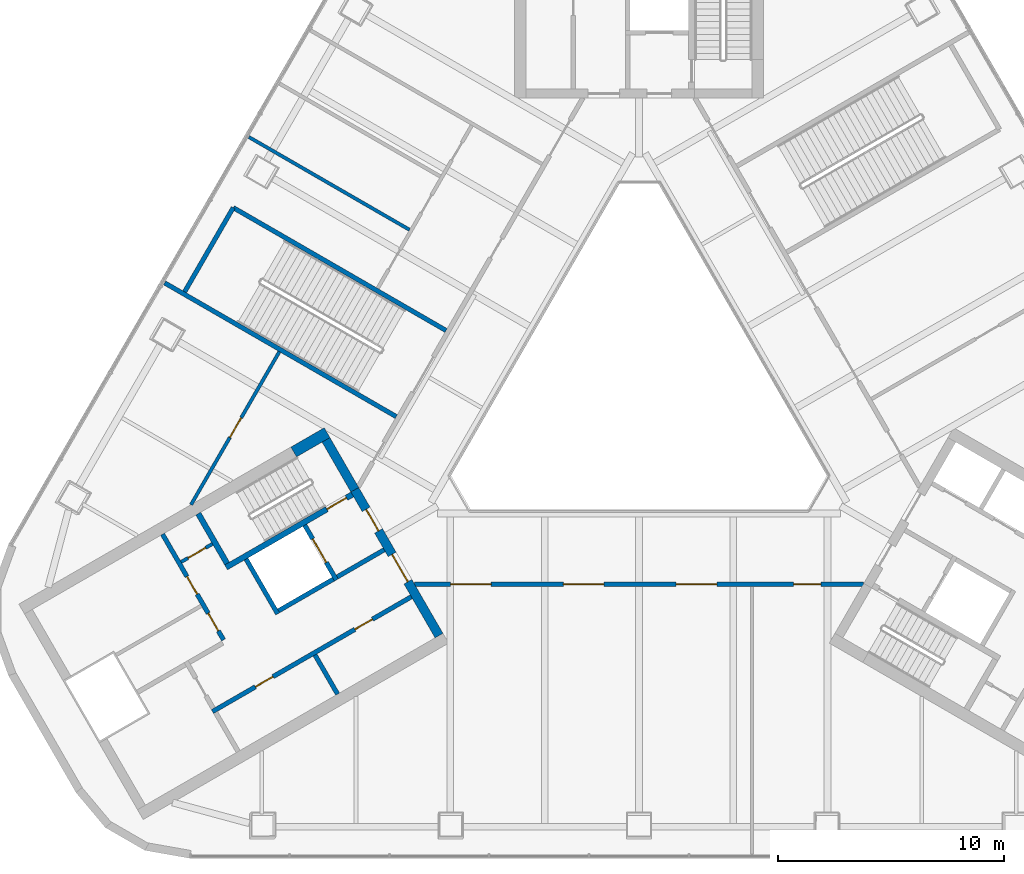
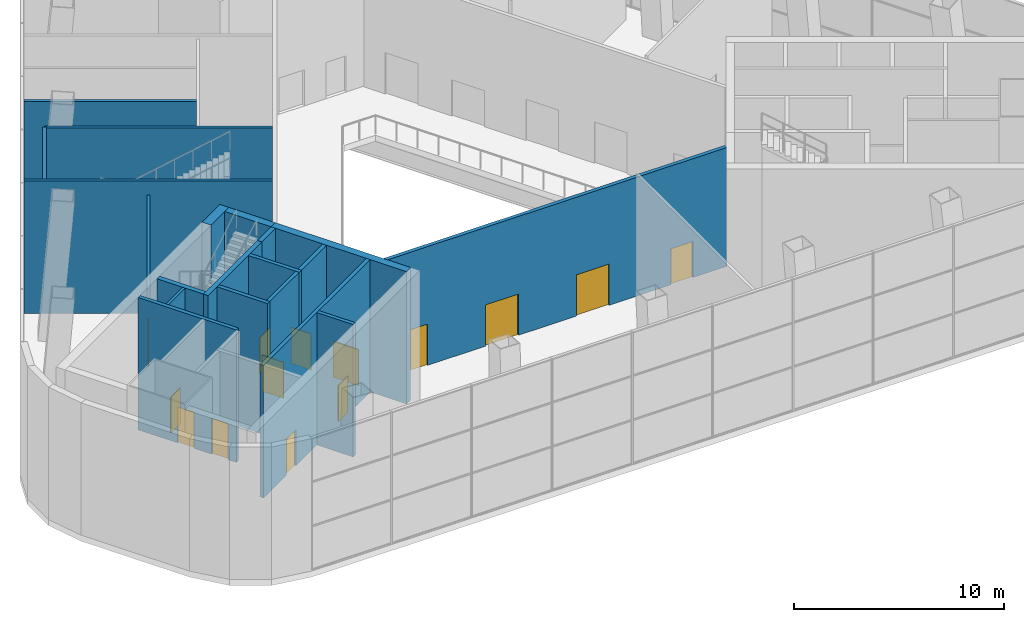
# One storey, part 9 of 16: 20 walls, 14 doors, 14 openings.
"""IFC4 building model written with IfcOpenShell, lengths in metres."""

import ifcopenshell
import ifcopenshell.guid

model = None  # the IFC model being written
_history = None  # IfcOwnerHistory: only IFC2X3 demands one
_inside = {}  # id of a spatial element -> (the spatial element, [elements in it])
_under = {}  # id of a project, library or spatial element -> (it, [spatial elements below it])
_declared = {}  # id of a project -> (the project, [libraries it declares])
_typed = {}  # id of a type object -> (the type object, [elements of that type])
_made_of = {}  # id of a material, layer set ... -> (it, [elements and type objects made of it])


def new_model(schema):
    """Start an empty IFC model of exactly this schema.

    Asked for "IFC4X3", IfcOpenShell would pick the latest addendum, in which some entities
    have other attributes; the version numbers below select the first issue.
    IFC2X3 requires an IfcOwnerHistory on every rooted entity: one is made here for all.
    """
    global model, _history
    if schema == "IFC4X3":
        model = ifcopenshell.file(schema_version=(4, 3, 0, 0))
    else:
        model = ifcopenshell.file(schema=schema)
    _inside.clear()
    _under.clear()
    _declared.clear()
    _typed.clear()
    _made_of.clear()
    _history = None
    if model.schema == "IFC2X3":
        org = make("IfcOrganization", Name="unknown")
        user = make(
            "IfcPersonAndOrganization",
            ThePerson=make("IfcPerson", FamilyName="unknown"),
            TheOrganization=org,
        )
        app = make(
            "IfcApplication",
            ApplicationDeveloper=org,
            Version="unknown",
            ApplicationFullName="unknown",
            ApplicationIdentifier="unknown",
        )
        _history = make(
            "IfcOwnerHistory",
            OwningUser=user,
            OwningApplication=app,
            ChangeAction="ADDED",
            CreationDate=0,
        )
    return model


def make(cls, **values):
    """One entity of the class cls with the attributes given. An attribute that is None is left unset."""
    return model.create_entity(
        cls, **{name: value for name, value in values.items() if value is not None}
    )


def rooted(cls, **values):
    """An entity with a GlobalId (a new one), such as an element, a storey or a relation."""
    return make(cls, GlobalId=ifcopenshell.guid.new(), OwnerHistory=_history, **values)


def si_unit(unit_type, name, prefix=None):
    """IfcSIUnit, for example si_unit("LENGTHUNIT", "METRE", prefix="MILLI")."""
    return make("IfcSIUnit", UnitType=unit_type, Prefix=prefix, Name=name)


def assignment(units):
    """IfcUnitAssignment: the units of a project."""
    return None if units is None else make("IfcUnitAssignment", Units=units)


def point(xyz):
    """IfcCartesianPoint."""
    return None if xyz is None else make("IfcCartesianPoint", Coordinates=xyz)


def direction(xyz):
    """IfcDirection."""
    return None if xyz is None else make("IfcDirection", DirectionRatios=xyz)


def frame(location, z_axis=None, x_axis=None):
    """IfcAxis2Placement3D, a coordinate frame: its origin and axes. An axis left out is left unset."""
    return make(
        "IfcAxis2Placement3D",
        Location=point(location),
        Axis=direction(z_axis),
        RefDirection=direction(x_axis),
    )


def frame_2d(location, x_axis=None):
    """IfcAxis2Placement2D, a coordinate frame in the plane: its origin and x axis."""
    return make(
        "IfcAxis2Placement2D", Location=point(location), RefDirection=direction(x_axis)
    )


def origin():
    """The frame at (0, 0, 0) with its axes left unset."""
    return frame((0.0, 0.0, 0.0))


def place(relative_to, where):
    """IfcLocalPlacement: puts the frame where relative to a parent placement (None: the world)."""
    return make(
        "IfcLocalPlacement", PlacementRelTo=relative_to, RelativePlacement=where
    )


def context(
    kind, dimensions, precision=None, world=None, true_north=None, identifier=None
):
    """IfcGeometricRepresentationContext, for example the 3D "Model" context."""
    return make(
        "IfcGeometricRepresentationContext",
        ContextIdentifier=identifier,
        ContextType=kind,
        CoordinateSpaceDimension=dimensions,
        Precision=precision,
        WorldCoordinateSystem=world,
        TrueNorth=true_north,
    )


def subcontext(parent, identifier, kind, view, scale=None):
    """IfcGeometricRepresentationSubContext, for example "Body" below "Model"."""
    return make(
        "IfcGeometricRepresentationSubContext",
        ContextIdentifier=identifier,
        ContextType=kind,
        ParentContext=parent,
        TargetScale=scale,
        TargetView=view,
    )


def project(units=None, contexts=None):
    """IfcProject with its units and contexts."""
    return rooted(
        "IfcProject",
        Name="project",
        RepresentationContexts=contexts,
        UnitsInContext=assignment(units),
    )


def spatial(cls, under=None, at=None, **own):
    """A site, building, storey or space (cls), placed at a placement, below another one or the project."""
    s = rooted(cls, ObjectPlacement=at, **own)
    if under is not None:
        _under.setdefault(under.id(), (under, []))[1].append(s)
    return s


def profile(cls, at=None, kind="AREA", **sizes):
    """A parametric profile (cls). Its sizes go by their IFC names, for example OverallWidth=200.0."""
    return make(cls, ProfileType=kind, Position=at, **sizes)


def rectangle(**sizes):
    """IfcRectangleProfileDef."""
    return profile("IfcRectangleProfileDef", **sizes)


def extrude(swept, where, along, depth):
    """IfcExtrudedAreaSolid: the profile swept, set in the frame where, extruded along a direction by depth."""
    return make(
        "IfcExtrudedAreaSolid",
        SweptArea=swept,
        Position=where,
        ExtrudedDirection=direction(along),
        Depth=depth,
    )


def shape(context_of_items, identifier, shape_type, items):
    """IfcShapeRepresentation: the items that make up one representation, for example the "Body"."""
    return make(
        "IfcShapeRepresentation",
        ContextOfItems=context_of_items,
        RepresentationIdentifier=identifier,
        RepresentationType=shape_type,
        Items=items,
    )


def material(Name=None, Category=None):
    """IfcMaterial."""
    return make("IfcMaterial", Name=Name, Category=Category)


def layer(
    of_material, thickness, ventilated=None, Name=None, Category=None, Priority=None
):
    """IfcMaterialLayer: one layer of a wall or slab, of a material (None: an air gap)."""
    return make(
        "IfcMaterialLayer",
        Material=of_material,
        LayerThickness=thickness,
        IsVentilated=ventilated,
        Name=Name,
        Category=Category,
        Priority=Priority,
    )


def layer_set(layers, Name=None):
    """IfcMaterialLayerSet."""
    return make("IfcMaterialLayerSet", MaterialLayers=layers, LayerSetName=Name)


def made_of(thing, what):
    """Note that an element or type object is made of a material, layer set ...; save() writes the relation."""
    if what is not None:
        _made_of.setdefault(what.id(), (what, []))[1].append(thing)
    return thing


def type_object(cls, material=None, **own):
    """A type object (cls), such as IfcWallType, which elements share."""
    return made_of(rooted(cls, **own), material)


def element(
    cls,
    number,
    at=None,
    inside=None,
    cuts=None,
    type_object=None,
    material=None,
    context=None,
    identifier="Body",
    shape_type=None,
    held_by="IfcProductDefinitionShape",
    body=None,
    shapes=None,
    **own,
):
    """One element of the class cls, such as IfcWall. Its Tag is "e" and its number.

    at: its placement. inside: the storey or other place that contains it. cuts: it is an
    opening in that element (IfcRelVoidsElement). A single representation is given by context,
    identifier, shape_type and body (its items); several are given by shapes. held_by: the class
    of the entity that holds the representations. save() writes the other relations.
    """
    e = rooted(cls, Tag="e%d" % number, ObjectPlacement=at, **own)
    if body is not None:
        shapes = [shape(context, identifier, shape_type, body)]
    if shapes is not None:
        e.Representation = make(held_by, Representations=shapes)
    if inside is not None:
        _inside.setdefault(inside.id(), (inside, []))[1].append(e)
    if cuts is not None:
        rooted(
            "IfcRelVoidsElement", RelatingBuildingElement=cuts, RelatedOpeningElement=e
        )
    if type_object is not None:
        _typed.setdefault(type_object.id(), (type_object, []))[1].append(e)
    return made_of(e, material)


def fill(opening, filler):
    """IfcRelFillsElement: the door or window that sits in an opening."""
    return rooted(
        "IfcRelFillsElement",
        RelatingOpeningElement=opening,
        RelatedBuildingElement=filler,
    )


def aggregate(whole, parts):
    """IfcRelAggregates: a whole, such as a stair, and the parts it consists of."""
    return rooted("IfcRelAggregates", RelatingObject=whole, RelatedObjects=parts)


def save(model, path):
    """Write the relations noted so far, then the file.

    IfcRelAggregates (storeys below a building ...), IfcRelContainedInSpatialStructure (elements
    in a storey), IfcRelDefinesByType, IfcRelAssociatesMaterial and IfcRelDeclares: one each for
    every whole, place, type object, material and project.
    """
    for whole, parts in _under.values():
        aggregate(whole, parts)
    for where, things in _inside.values():
        rooted(
            "IfcRelContainedInSpatialStructure",
            RelatedElements=things,
            RelatingStructure=where,
        )
    for kind, things in _typed.values():
        rooted("IfcRelDefinesByType", RelatedObjects=things, RelatingType=kind)
    for what, things in _made_of.values():
        rooted("IfcRelAssociatesMaterial", RelatedObjects=things, RelatingMaterial=what)
    for by, libraries in _declared.values():
        rooted("IfcRelDeclares", RelatingContext=by, RelatedDefinitions=libraries)
    model.write(path)


model = new_model("IFC4")

# Units and contexts
model_context = context("Model", 3, precision=1e-05, world=origin(), true_north=direction((0.0, 1.0)))
body_context = subcontext(model_context, "Body", "Model", "MODEL_VIEW")
ifc_project = project(units=[si_unit("LENGTHUNIT", "METRE"), si_unit("AREAUNIT", "SQUARE_METRE"), si_unit("VOLUMEUNIT", "CUBIC_METRE"), si_unit("PLANEANGLEUNIT", "RADIAN"), si_unit("MASSUNIT", "GRAM", prefix="KILO")], contexts=[model_context])

# Site, building, storey
site_placement = place(None, origin())
site = spatial("IfcSite", under=ifc_project, at=site_placement, CompositionType="ELEMENT")
building_placement = place(site_placement, origin())
building = spatial("IfcBuilding", under=site, at=building_placement, Name="Apuvela Tower Hotel", CompositionType="ELEMENT")
storey_placement = place(building_placement, frame((0.0, 0.0, 15.5)))
storey = spatial("IfcBuildingStorey", under=building, at=storey_placement, Name="L02", CompositionType="ELEMENT", Elevation=15.5)

# Wall
ifc_material_1 = material(Name="Concrete C50/60", Category="concrete")
ifc_layer_1 = layer(ifc_material_1, 0.39990234375)
ifc_layer_set_1 = layer_set([ifc_layer_1], Name="COR-WALL-CORE-400")
wall_type_1 = type_object("IfcWallType", Name="COR-WALL-CORE-400", PredefinedType="SHEAR", material=ifc_layer_set_1)
wall_1_placement = place(storey_placement, frame((-13.844970703125, -2.219970703125, 0.0), z_axis=(0.0, 0.0, 1.0), x_axis=(0.500062241894, -0.865989465428, 0.0)))
element("IfcWall", 1, at=wall_1_placement, inside=storey, type_object=wall_type_1, Name="Core wall SW", PredefinedType="SHEAR", context=body_context, shape_type="SweptSolid", body=[
    extrude(rectangle(XDim=2.550048828125, YDim=0.39990234375, at=frame_2d((1.27490234375, 0.0))), origin(), (0.0, 0.0, 1.0), 7.699951171875),
])

# Wall, openings, doors
wall_2_placement = place(storey_placement, frame((-12.56982421875, -4.42822265625, 0.0), z_axis=(0.0, 0.0, 1.0), x_axis=(0.499984378957, -0.86603442241, 0.0)))
wall_2 = element("IfcWall", 2, at=wall_2_placement, inside=storey, type_object=wall_type_1, Name="Core wall SW", PredefinedType="SHEAR", context=body_context, shape_type="SweptSolid", body=[
    extrude(rectangle(XDim=7.449951171875, YDim=0.39990234375, at=frame_2d((3.72509765625, 0.0))), origin(), (0.0, 0.0, 1.0), 7.699951171875),
])
opening_1_placement = place(wall_2_placement, frame((1.0, 0.0, 0.0)))
opening_1 = element("IfcOpeningElement", 3, at=opening_1_placement, cuts=wall_2, Name="Opening W-FD", PredefinedType="OPENING", context=body_context, shape_type="SweptSolid", body=[
    extrude(rectangle(XDim=1.10009765625, YDim=2.10009765625, at=frame_2d((0.550048828125, 1.050048828125))), frame((0.0, 0.2099609375, 0.0), z_axis=(0.0, -1.0, 0.0), x_axis=(1.0, 0.0, 0.0)), (0.0, 0.0, 1.0), 0.419921875),
])
opening_2_placement = place(wall_2_placement, frame((3.300048828125, 0.0, 0.0)))
opening_2 = element("IfcOpeningElement", 4, at=opening_2_placement, cuts=wall_2, Name="Opening W-GD", PredefinedType="OPENING", context=body_context, shape_type="SweptSolid", body=[
    extrude(rectangle(XDim=1.39990234375, YDim=2.10009765625, at=frame_2d((0.699951171875, 1.050048828125))), frame((0.0, 0.2099609375, 0.0), z_axis=(0.0, -1.0, 0.0), x_axis=(1.0, 0.0, 0.0)), (0.0, 0.0, 1.0), 0.419921875),
])
ifc_material_2 = material(Name="Steel fire door, powder coated", Category="steel")
door_type_1 = type_object("IfcDoorType", Name="COR-FD-1100", OperationType="NOTDEFINED", PredefinedType="DOOR", material=ifc_material_2)
door_1_placement = place(opening_1_placement, frame((1.10009765625, 0.0, 0.0), z_axis=(0.0, 0.0, 1.0), x_axis=(-1.0, 0.0, 0.0)))
door_1 = element("IfcDoor", 5, at=door_1_placement, inside=storey, type_object=door_type_1, Name="Firefighting lobby door W-FD", OperationType="SINGLE_SWING_LEFT", OverallHeight=2.10009765625, OverallWidth=1.10009765625, PredefinedType="DOOR", context=body_context, shape_type="SweptSolid", body=[
    extrude(rectangle(XDim=1.10009765625, YDim=2.10009765625, at=frame_2d((0.550048828125, 1.050048828125))), frame((0.0, 0.02490234375, 0.0), z_axis=(0.0, -1.0, 0.0), x_axis=(1.0, 0.0, 0.0)), (0.0, 0.0, 1.0), 0.050048828125),
])
fill(opening_1, door_1)
ifc_material_3 = material(Name="Glazed steel fire door", Category="steel")
door_type_2 = type_object("IfcDoorType", Name="COR-GD-1400", OperationType="DOUBLE_DOOR_SINGLE_SWING", PredefinedType="DOOR", material=ifc_material_3)
door_2_placement = place(opening_2_placement, frame((1.39990234375, 0.0, 0.0), z_axis=(0.0, 0.0, 1.0), x_axis=(-1.0, 0.0, 0.0)))
door_2 = element("IfcDoor", 6, at=door_2_placement, inside=storey, type_object=door_type_2, Name="Lift lobby door W-GD", OperationType="DOUBLE_DOOR_SINGLE_SWING", OverallHeight=2.10009765625, OverallWidth=1.39990234375, PredefinedType="DOOR", context=body_context, shape_type="SweptSolid", body=[
    extrude(rectangle(XDim=1.39990234375, YDim=2.10009765625, at=frame_2d((0.699951171875, 1.050048828125))), frame((0.0, 0.02490234375, 0.0), z_axis=(0.0, -1.0, 0.0), x_axis=(1.0, 0.0, 0.0)), (0.0, 0.0, 1.0), 0.050048828125),
])
fill(opening_2, door_2)

# Wall
ifc_layer_2 = layer(ifc_material_1, 0.5)
ifc_layer_set_2 = layer_set([ifc_layer_2], Name="COR-WALL-CORE-500")
wall_type_2 = type_object("IfcWallType", Name="COR-WALL-CORE-500", PredefinedType="SHEAR", material=ifc_layer_set_2)
wall_3_placement = place(storey_placement, frame((-13.796630859375, -1.9033203125, 0.0), z_axis=(0.0, 0.0, 1.0), x_axis=(-0.866033076574, -0.499986710104, 0.0)))
element("IfcWall", 7, at=wall_3_placement, inside=storey, type_object=wall_type_2, Name="Core wall SW", PredefinedType="SHEAR", context=body_context, shape_type="SweptSolid", body=[
    extrude(rectangle(XDim=1.7060546875, YDim=0.5, at=frame_2d((0.85302734375, 0.0))), origin(), (0.0, 0.0, 1.0), 7.699951171875),
])

# Wall, opening, door
ifc_material_4 = material(Name="Blockwork 150 mm plastered", Category="masonry")
ifc_layer_3 = layer(ifc_material_4, 0.14990234375)
ifc_layer_set_3 = layer_set([ifc_layer_3], Name="COR-WALL-PART-150")
wall_type_3 = type_object("IfcWallType", Name="COR-WALL-PART-150", PredefinedType="PARTITIONING", material=ifc_layer_set_3)
wall_4_placement = place(storey_placement, frame((-18.866455078125, -6.822265625, 0.0), z_axis=(0.0, 0.0, 1.0), x_axis=(-0.866028054938, -0.499995408039, 0.0)))
wall_4 = element("IfcWall", 8, at=wall_4_placement, inside=storey, type_object=wall_type_3, Name="Partition SW", PredefinedType="PARTITIONING", context=body_context, shape_type="SweptSolid", body=[
    extrude(rectangle(XDim=1.60009765625, YDim=0.14990234375, at=frame_2d((0.800048828125, 0.0))), origin(), (0.0, 0.0, 1.0), 7.699951171875),
])
opening_3_placement = place(wall_4_placement, frame((0.35009765625, 0.0, 0.0)))
opening_3 = element("IfcOpeningElement", 9, at=opening_3_placement, cuts=wall_4, Name="Opening W-RD", PredefinedType="OPENING", context=body_context, shape_type="SweptSolid", body=[
    extrude(rectangle(XDim=0.89990234375, YDim=2.10009765625, at=frame_2d((0.449951171875, 1.050048828125))), frame((0.0, 0.0849609375, 0.0), z_axis=(0.0, -1.0, 0.0), x_axis=(1.0, 0.0, 0.0)), (0.0, 0.0, 1.0), 0.169921875),
])
ifc_material_5 = material(Name="Steel access door, powder coated", Category="steel")
door_type_3 = type_object("IfcDoorType", Name="COR-RD-900", OperationType="NOTDEFINED", PredefinedType="DOOR", material=ifc_material_5)
door_3_placement = place(opening_3_placement, frame((0.89990234375, 0.0, 0.0), z_axis=(0.0, 0.0, 1.0), x_axis=(-1.0, 0.0, 0.0)))
door_3 = element("IfcDoor", 10, at=door_3_placement, inside=storey, type_object=door_type_3, Name="Riser door W-RD", OperationType="SINGLE_SWING_RIGHT", OverallHeight=2.10009765625, OverallWidth=0.89990234375, PredefinedType="DOOR", context=body_context, shape_type="SweptSolid", body=[
    extrude(rectangle(XDim=0.89990234375, YDim=2.10009765625, at=frame_2d((0.449951171875, 1.050048828125))), frame((0.0, 0.02490234375, 0.0), z_axis=(0.0, -1.0, 0.0), x_axis=(1.0, 0.0, 0.0)), (0.0, 0.0, 1.0), 0.050048828125),
])
fill(opening_3, door_3)

# Wall, openings, doors
ifc_material_6 = material(Name="Blockwork 200 mm plastered", Category="masonry")
ifc_layer_4 = layer(ifc_material_6, 0.199951171875)
ifc_layer_set_4 = layer_set([ifc_layer_4], Name="COR-WALL-PART-200")
wall_type_4 = type_object("IfcWallType", Name="COR-WALL-PART-200", PredefinedType="PARTITIONING", material=ifc_layer_set_4)
wall_5_placement = place(storey_placement, frame((-21.076171875, -6.39501953125, 0.0), z_axis=(0.0, 0.0, 1.0), x_axis=(0.50001468107, -0.866016927499, 0.0)))
wall_5 = element("IfcWall", 11, at=wall_5_placement, inside=storey, type_object=wall_type_4, Name="Partition SW", PredefinedType="PARTITIONING", context=body_context, shape_type="SweptSolid", body=[
    extrude(rectangle(XDim=5.399658203125, YDim=0.199951171875, at=frame_2d((2.69970703125, 0.0))), origin(), (0.0, 0.0, 1.0), 7.699951171875),
])
opening_4_placement = place(wall_5_placement, frame((2.16259765625, 0.0, 0.0)))
opening_4 = element("IfcOpeningElement", 12, at=opening_4_placement, cuts=wall_5, Name="Opening W-RS1", PredefinedType="OPENING", context=body_context, shape_type="SweptSolid", body=[
    extrude(rectangle(XDim=0.89990234375, YDim=2.10009765625, at=frame_2d((0.449951171875, 1.050048828125))), frame((0.0, 0.10986328125, 0.0), z_axis=(0.0, -1.0, 0.0), x_axis=(1.0, 0.0, 0.0)), (0.0, 0.0, 1.0), 0.219970703125),
])
opening_5_placement = place(wall_5_placement, frame((4.03759765625, 0.0, 0.0)))
opening_5 = element("IfcOpeningElement", 13, at=opening_5_placement, cuts=wall_5, Name="Opening W-RS2", PredefinedType="OPENING", context=body_context, shape_type="SweptSolid", body=[
    extrude(rectangle(XDim=0.89990234375, YDim=2.10009765625, at=frame_2d((0.449951171875, 1.050048828125))), frame((0.0, 0.10986328125, 0.0), z_axis=(0.0, -1.0, 0.0), x_axis=(1.0, 0.0, 0.0)), (0.0, 0.0, 1.0), 0.219970703125),
])
door_type_4 = type_object("IfcDoorType", Name="COR-DR-900", OperationType="NOTDEFINED", PredefinedType="DOOR", material=ifc_material_2)
door_4_placement = place(opening_4_placement, frame((0.89990234375, 0.0, 0.0), z_axis=(0.0, 0.0, 1.0), x_axis=(-1.0, 0.0, 0.0)))
door_4 = element("IfcDoor", 14, at=door_4_placement, inside=storey, type_object=door_type_4, Name="Store door W-RS1", OperationType="SINGLE_SWING_LEFT", OverallHeight=2.10009765625, OverallWidth=0.89990234375, PredefinedType="DOOR", context=body_context, shape_type="SweptSolid", body=[
    extrude(rectangle(XDim=0.89990234375, YDim=2.10009765625, at=frame_2d((0.449951171875, 1.050048828125))), frame((0.0, 0.02490234375, 0.0), z_axis=(0.0, -1.0, 0.0), x_axis=(1.0, 0.0, 0.0)), (0.0, 0.0, 1.0), 0.050048828125),
])
fill(opening_4, door_4)
door_5_placement = place(opening_5_placement, frame((0.89990234375, 0.0, 0.0), z_axis=(0.0, 0.0, 1.0), x_axis=(-1.0, 0.0, 0.0)))
door_5 = element("IfcDoor", 15, at=door_5_placement, inside=storey, type_object=door_type_4, Name="Store door W-RS2", OperationType="SINGLE_SWING_LEFT", OverallHeight=2.10009765625, OverallWidth=0.89990234375, PredefinedType="DOOR", context=body_context, shape_type="SweptSolid", body=[
    extrude(rectangle(XDim=0.89990234375, YDim=2.10009765625, at=frame_2d((0.449951171875, 1.050048828125))), frame((0.0, 0.02490234375, 0.0), z_axis=(0.0, -1.0, 0.0), x_axis=(1.0, 0.0, 0.0)), (0.0, 0.0, 1.0), 0.050048828125),
])
fill(opening_5, door_5)

# Wall
ifc_layer_5 = layer(ifc_material_1, 0.199951171875)
ifc_layer_set_5 = layer_set([ifc_layer_5], Name="COR-WALL-SHAFT-200")
wall_type_5 = type_object("IfcWallType", Name="COR-WALL-SHAFT-200", PredefinedType="SHEAR", material=ifc_layer_set_5)
wall_6_placement = place(storey_placement, frame((-17.38134765625, -7.49462890625, 0.0), z_axis=(0.0, 0.0, 1.0), x_axis=(0.500011755427, -0.866018616679, 0.0)))
element("IfcWall", 16, at=wall_6_placement, inside=storey, type_object=wall_type_5, Name="Shaft wall SW", PredefinedType="SHEAR", context=body_context, shape_type="SweptSolid", body=[
    extrude(rectangle(XDim=2.80029296875, YDim=0.199951171875, at=frame_2d((1.400146484375, 0.0))), origin(), (0.0, 0.0, 1.0), 7.699951171875),
])

# Wall, opening, door
wall_7_placement = place(storey_placement, frame((-14.783203125, -5.99462890625, 0.0), z_axis=(0.0, 0.0, 1.0), x_axis=(0.49994636267, -0.866056369097, 0.0)))
wall_7 = element("IfcWall", 17, at=wall_7_placement, inside=storey, type_object=wall_type_5, Name="Shaft wall SW", PredefinedType="SHEAR", context=body_context, shape_type="SweptSolid", body=[
    extrude(rectangle(XDim=2.800048828125, YDim=0.199951171875, at=frame_2d((1.39990234375, 0.0))), origin(), (0.0, 0.0, 1.0), 7.699951171875),
])
opening_6_placement = place(wall_7_placement, frame((0.699951171875, 0.0, 0.0)))
opening_6 = element("IfcOpeningElement", 18, at=opening_6_placement, cuts=wall_7, Name="Opening W-LD-FS2", PredefinedType="OPENING", context=body_context, shape_type="SweptSolid", body=[
    extrude(rectangle(XDim=1.199951171875, YDim=2.10009765625, at=frame_2d((0.60009765625, 1.050048828125))), frame((0.0, 0.10986328125, 0.0), z_axis=(0.0, -1.0, 0.0), x_axis=(1.0, 0.0, 0.0)), (0.0, 0.0, 1.0), 0.219970703125),
])
ifc_material_7 = material(Name="Stainless steel lift landing door", Category="steel")
door_type_5 = type_object("IfcDoorType", Name="COR-LD-1200", OperationType="DOUBLE_DOOR_SLIDING", PredefinedType="DOOR", material=ifc_material_7)
door_6_placement = place(opening_6_placement, origin())
door_6 = element("IfcDoor", 19, at=door_6_placement, inside=storey, type_object=door_type_5, Name="Lift landing door W-LD-FS2", OperationType="DOUBLE_DOOR_SLIDING", OverallHeight=2.10009765625, OverallWidth=1.199951171875, PredefinedType="DOOR", context=body_context, shape_type="SweptSolid", body=[
    extrude(rectangle(XDim=1.199951171875, YDim=2.10009765625, at=frame_2d((0.60009765625, 1.050048828125))), frame((0.0, 0.02490234375, 0.0), z_axis=(0.0, -1.0, 0.0), x_axis=(1.0, 0.0, 0.0)), (0.0, 0.0, 1.0), 0.050048828125),
])
fill(opening_6, door_6)

# Walls
wall_8_placement = place(storey_placement, frame((-13.519775390625, -8.383056640625, 0.0), z_axis=(0.0, 0.0, 1.0), x_axis=(-0.866034573852, -0.49998411664, 0.0)))
element("IfcWall", 20, at=wall_8_placement, inside=storey, type_object=wall_type_5, Name="Shaft wall SW", PredefinedType="SHEAR", context=body_context, shape_type="SweptSolid", body=[
    extrude(rectangle(XDim=2.7998046875, YDim=0.199951171875, at=frame_2d((1.39990234375, 0.0))), origin(), (0.0, 0.0, 1.0), 7.699951171875),
])
wall_9_placement = place(storey_placement, frame((-11.26806640625, -7.0830078125, 0.0), z_axis=(0.0, 0.0, 1.0), x_axis=(-0.866050077142, -0.499957262057, 0.0)))
element("IfcWall", 21, at=wall_9_placement, inside=storey, type_object=wall_type_5, Name="Shaft wall SW", PredefinedType="SHEAR", context=body_context, shape_type="SweptSolid", body=[
    extrude(rectangle(XDim=2.400146484375, YDim=0.199951171875, at=frame_2d((1.2001953125, 0.0))), origin(), (0.0, 0.0, 1.0), 7.699951171875),
])

# Wall, openings, doors
wall_10_placement = place(storey_placement, frame((-10.068115234375, -9.16162109375, 0.0), z_axis=(0.0, 0.0, 1.0), x_axis=(-0.866032725843, -0.499987317609, 0.0)))
wall_10 = element("IfcWall", 22, at=wall_10_placement, inside=storey, type_object=wall_type_5, Name="Shaft wall SW", PredefinedType="SHEAR", context=body_context, shape_type="SweptSolid", body=[
    extrude(rectangle(XDim=10.159912109375, YDim=0.199951171875, at=frame_2d((5.080078125, 0.0))), origin(), (0.0, 0.0, 1.0), 7.699951171875),
])
opening_7_placement = place(wall_10_placement, frame((1.989990234375, 0.0, 0.0)))
opening_7 = element("IfcOpeningElement", 23, at=opening_7_placement, cuts=wall_10, Name="Opening W-RE1", PredefinedType="OPENING", context=body_context, shape_type="SweptSolid", body=[
    extrude(rectangle(XDim=0.89990234375, YDim=2.10009765625, at=frame_2d((0.449951171875, 1.050048828125))), frame((0.0, 0.10986328125, 0.0), z_axis=(0.0, -1.0, 0.0), x_axis=(1.0, 0.0, 0.0)), (0.0, 0.0, 1.0), 0.219970703125),
])
opening_8_placement = place(wall_10_placement, frame((7.070068359375, 0.0, 0.0)))
opening_8 = element("IfcOpeningElement", 24, at=opening_8_placement, cuts=wall_10, Name="Opening W-RE3", PredefinedType="OPENING", context=body_context, shape_type="SweptSolid", body=[
    extrude(rectangle(XDim=0.89990234375, YDim=2.10009765625, at=frame_2d((0.449951171875, 1.050048828125))), frame((0.0, 0.10986328125, 0.0), z_axis=(0.0, -1.0, 0.0), x_axis=(1.0, 0.0, 0.0)), (0.0, 0.0, 1.0), 0.219970703125),
])
door_7_placement = place(opening_7_placement, origin())
door_7 = element("IfcDoor", 25, at=door_7_placement, inside=storey, type_object=door_type_4, Name="Store door W-RE1", OperationType="SINGLE_SWING_LEFT", OverallHeight=2.10009765625, OverallWidth=0.89990234375, PredefinedType="DOOR", context=body_context, shape_type="SweptSolid", body=[
    extrude(rectangle(XDim=0.89990234375, YDim=2.10009765625, at=frame_2d((0.449951171875, 1.050048828125))), frame((0.0, 0.02490234375, 0.0), z_axis=(0.0, -1.0, 0.0), x_axis=(1.0, 0.0, 0.0)), (0.0, 0.0, 1.0), 0.050048828125),
])
fill(opening_7, door_7)
door_8_placement = place(opening_8_placement, origin())
door_8 = element("IfcDoor", 26, at=door_8_placement, inside=storey, type_object=door_type_4, Name="Store door W-RE3", OperationType="SINGLE_SWING_LEFT", OverallHeight=2.10009765625, OverallWidth=0.89990234375, PredefinedType="DOOR", context=body_context, shape_type="SweptSolid", body=[
    extrude(rectangle(XDim=0.89990234375, YDim=2.10009765625, at=frame_2d((0.449951171875, 1.050048828125))), frame((0.0, 0.02490234375, 0.0), z_axis=(0.0, -1.0, 0.0), x_axis=(1.0, 0.0, 0.0)), (0.0, 0.0, 1.0), 0.050048828125),
])
fill(opening_8, door_8)

# Walls
wall_11_placement = place(storey_placement, frame((-14.330810546875, -11.738037109375, 0.0), z_axis=(0.0, 0.0, 1.0), x_axis=(0.499972520799, -0.866041268327, 0.0)))
element("IfcWall", 27, at=wall_11_placement, inside=storey, type_object=wall_type_5, Name="Shaft wall SW", PredefinedType="SHEAR", context=body_context, shape_type="SweptSolid", body=[
    extrude(rectangle(XDim=2.0, YDim=0.199951171875, at=frame_2d((1.0, 0.0))), origin(), (0.0, 0.0, 1.0), 7.699951171875),
])
ifc_layer_6 = layer(ifc_material_1, 0.25)
ifc_layer_set_6 = layer_set([ifc_layer_6], Name="COR-WALL-STAIR-250")
wall_type_6 = type_object("IfcWallType", Name="COR-WALL-STAIR-250", PredefinedType="SHEAR", material=ifc_layer_set_6)
wall_12_placement = place(storey_placement, frame((-19.49560546875, -5.482421875, 0.0), z_axis=(0.0, 0.0, 1.0), x_axis=(0.499990435942, -0.866030925526, 0.0)))
element("IfcWall", 28, at=wall_12_placement, inside=storey, type_object=wall_type_6, Name="Stair wall SW", PredefinedType="SHEAR", context=body_context, shape_type="SweptSolid", body=[
    extrude(rectangle(XDim=2.5498046875, YDim=0.25, at=frame_2d((1.27490234375, 0.0))), origin(), (0.0, 0.0, 1.0), 7.699951171875),
])

# Wall, opening, door
wall_13_placement = place(storey_placement, frame((-12.6806640625, -4.636474609375, 0.0), z_axis=(0.0, 0.0, 1.0), x_axis=(-0.86601437931, -0.500019094464, 0.0)))
wall_13 = element("IfcWall", 29, at=wall_13_placement, inside=storey, type_object=wall_type_6, Name="Stair wall SW", PredefinedType="SHEAR", context=body_context, shape_type="SweptSolid", body=[
    extrude(rectangle(XDim=1.30615234375, YDim=0.25, at=frame_2d((0.653076171875, 0.0))), origin(), (0.0, 0.0, 1.0), 7.699951171875),
])
opening_9_placement = place(wall_13_placement, frame((0.300048828125, 0.0, 0.0)))
opening_9 = element("IfcOpeningElement", 30, at=opening_9_placement, cuts=wall_13, Name="Opening W-SD", PredefinedType="OPENING", context=body_context, shape_type="SweptSolid", body=[
    extrude(rectangle(XDim=1.0, YDim=2.10009765625, at=frame_2d((0.5, 1.050048828125))), frame((0.0, 0.135009765625, 0.0), z_axis=(0.0, -1.0, 0.0), x_axis=(1.0, 0.0, 0.0)), (0.0, 0.0, 1.0), 0.27001953125),
])
door_type_6 = type_object("IfcDoorType", Name="COR-SD-1000", OperationType="NOTDEFINED", PredefinedType="DOOR", material=ifc_material_2)
door_9_placement = place(opening_9_placement, frame((1.0, 0.0, 0.0), z_axis=(0.0, 0.0, 1.0), x_axis=(-1.0, 0.0, 0.0)))
door_9 = element("IfcDoor", 31, at=door_9_placement, inside=storey, type_object=door_type_6, Name="Stair door W-SD", OperationType="SINGLE_SWING_LEFT", OverallHeight=2.10009765625, OverallWidth=1.0, PredefinedType="DOOR", context=body_context, shape_type="SweptSolid", body=[
    extrude(rectangle(XDim=1.0, YDim=2.10009765625, at=frame_2d((0.5, 1.050048828125))), frame((0.0, 0.02490234375, 0.0), z_axis=(0.0, -1.0, 0.0), x_axis=(1.0, 0.0, 0.0)), (0.0, 0.0, 1.0), 0.050048828125),
])
fill(opening_9, door_9)

# Wall
wall_14_placement = place(storey_placement, frame((-13.811767578125, -5.28955078125, 0.0), z_axis=(0.0, 0.0, 1.0), x_axis=(-0.866023561601, -0.500003190742, 0.0)))
element("IfcWall", 32, at=wall_14_placement, inside=storey, type_object=wall_type_6, Name="Stair wall SW", PredefinedType="SHEAR", context=body_context, shape_type="SweptSolid", body=[
    extrude(rectangle(XDim=5.14404296875, YDim=0.25, at=frame_2d((2.572021484375, 0.0))), origin(), (0.0, 0.0, 1.0), 7.699951171875),
])

# Wall, openings, doors
ifc_material_8 = material(Name="Fire-rated gypsum board partition on steel stud", Category="steel")
ifc_layer_7 = layer(ifc_material_8, 0.199951171875)
ifc_layer_set_7 = layer_set([ifc_layer_7], Name="SPC-WALL-CORRIDOR")
wall_type_7 = type_object("IfcWallType", Name="SPC-WALL-CORRIDOR", PredefinedType="PARTITIONING", material=ifc_layer_set_7)
wall_15_placement = place(storey_placement, frame((-9.930419921875, -8.60009765625, 0.0), z_axis=(0.0, 0.0, 1.0), x_axis=(1.0, 0.0, 0.0)))
wall_15 = element("IfcWall", 33, at=wall_15_placement, inside=storey, type_object=wall_type_7, Name="Wall L02-S-CW", PredefinedType="PARTITIONING", context=body_context, shape_type="SweptSolid", body=[
    extrude(rectangle(XDim=19.86083984375, YDim=0.199951171875, at=frame_2d((9.930419921875, 0.0))), origin(), (0.0, 0.0, 1.0), 6.909912109375),
])
opening_10_placement = place(wall_15_placement, frame((1.594482421875, 0.0, 0.0)))
opening_10 = element("IfcOpeningElement", 34, at=opening_10_placement, cuts=wall_15, Name="Opening L02-S09", PredefinedType="OPENING", context=body_context, shape_type="SweptSolid", body=[
    extrude(rectangle(XDim=1.800048828125, YDim=2.39990234375, at=frame_2d((0.89990234375, 1.199951171875))), frame((0.0, 0.10986328125, 0.0), z_axis=(0.0, -1.0, 0.0), x_axis=(1.0, 0.0, 0.0)), (0.0, 0.0, 1.0), 0.219970703125),
])
opening_11_placement = place(wall_15_placement, frame((6.58349609375, 0.0, 0.0)))
opening_11 = element("IfcOpeningElement", 35, at=opening_11_placement, cuts=wall_15, Name="Opening L02-S10", PredefinedType="OPENING", context=body_context, shape_type="SweptSolid", body=[
    extrude(rectangle(XDim=1.800048828125, YDim=2.39990234375, at=frame_2d((0.89990234375, 1.199951171875))), frame((0.0, 0.10986328125, 0.0), z_axis=(0.0, -1.0, 0.0), x_axis=(1.0, 0.0, 0.0)), (0.0, 0.0, 1.0), 0.219970703125),
])
opening_12_placement = place(wall_15_placement, frame((11.572509765625, 0.0, 0.0)))
opening_12 = element("IfcOpeningElement", 36, at=opening_12_placement, cuts=wall_15, Name="Opening L02-S11", PredefinedType="OPENING", context=body_context, shape_type="SweptSolid", body=[
    extrude(rectangle(XDim=1.800048828125, YDim=2.39990234375, at=frame_2d((0.89990234375, 1.199951171875))), frame((0.0, 0.10986328125, 0.0), z_axis=(0.0, -1.0, 0.0), x_axis=(1.0, 0.0, 0.0)), (0.0, 0.0, 1.0), 0.219970703125),
])
opening_13_placement = place(wall_15_placement, frame((16.777587890625, 0.0, 0.0)))
opening_13 = element("IfcOpeningElement", 37, at=opening_13_placement, cuts=wall_15, Name="Opening L02-S12", PredefinedType="OPENING", context=body_context, shape_type="SweptSolid", body=[
    extrude(rectangle(XDim=1.199951171875, YDim=2.10009765625, at=frame_2d((0.60009765625, 1.050048828125))), frame((0.0, 0.10986328125, 0.0), z_axis=(0.0, -1.0, 0.0), x_axis=(1.0, 0.0, 0.0)), (0.0, 0.0, 1.0), 0.219970703125),
])
ifc_material_9 = material(Name="Fire-rated hardwood veneer door leaf", Category="wood")
door_type_7 = type_object("IfcDoorType", Name="SPC-DOOR-1200-FD", OperationType="NOTDEFINED", PredefinedType="DOOR", material=ifc_material_9)
door_10_placement = place(opening_13_placement, frame((1.199951171875, 0.0, 0.0), z_axis=(0.0, 0.0, 1.0), x_axis=(-1.0, 0.0, 0.0)))
door_10 = element("IfcDoor", 38, at=door_10_placement, inside=storey, type_object=door_type_7, Name="L02-S12", OperationType="SINGLE_SWING_LEFT", OverallHeight=2.10009765625, OverallWidth=1.199951171875, PredefinedType="DOOR", context=body_context, shape_type="SweptSolid", body=[
    extrude(rectangle(XDim=1.199951171875, YDim=2.10009765625, at=frame_2d((0.60009765625, 1.050048828125))), frame((0.0, 0.02490234375, 0.0), z_axis=(0.0, -1.0, 0.0), x_axis=(1.0, 0.0, 0.0)), (0.0, 0.0, 1.0), 0.050048828125),
])
fill(opening_13, door_10)
door_type_8 = type_object("IfcDoorType", Name="SPC-DOOR-1800-FD", OperationType="NOTDEFINED", PredefinedType="DOOR", material=ifc_material_9)
door_11_placement = place(opening_10_placement, origin())
door_11 = element("IfcDoor", 39, at=door_11_placement, inside=storey, type_object=door_type_8, Name="L02-S09", OperationType="DOUBLE_DOOR_SINGLE_SWING", OverallHeight=2.39990234375, OverallWidth=1.800048828125, PredefinedType="DOOR", context=body_context, shape_type="SweptSolid", body=[
    extrude(rectangle(XDim=1.800048828125, YDim=2.39990234375, at=frame_2d((0.89990234375, 1.199951171875))), frame((0.0, 0.02490234375, 0.0), z_axis=(0.0, -1.0, 0.0), x_axis=(1.0, 0.0, 0.0)), (0.0, 0.0, 1.0), 0.050048828125),
])
fill(opening_10, door_11)
door_12_placement = place(opening_11_placement, origin())
door_12 = element("IfcDoor", 40, at=door_12_placement, inside=storey, type_object=door_type_8, Name="L02-S10", OperationType="DOUBLE_DOOR_SINGLE_SWING", OverallHeight=2.39990234375, OverallWidth=1.800048828125, PredefinedType="DOOR", context=body_context, shape_type="SweptSolid", body=[
    extrude(rectangle(XDim=1.800048828125, YDim=2.39990234375, at=frame_2d((0.89990234375, 1.199951171875))), frame((0.0, 0.02490234375, 0.0), z_axis=(0.0, -1.0, 0.0), x_axis=(1.0, 0.0, 0.0)), (0.0, 0.0, 1.0), 0.050048828125),
])
fill(opening_11, door_12)
door_13_placement = place(opening_12_placement, origin())
door_13 = element("IfcDoor", 41, at=door_13_placement, inside=storey, type_object=door_type_8, Name="L02-S11", OperationType="DOUBLE_DOOR_SINGLE_SWING", OverallHeight=2.39990234375, OverallWidth=1.800048828125, PredefinedType="DOOR", context=body_context, shape_type="SweptSolid", body=[
    extrude(rectangle(XDim=1.800048828125, YDim=2.39990234375, at=frame_2d((0.89990234375, 1.199951171875))), frame((0.0, 0.02490234375, 0.0), z_axis=(0.0, -1.0, 0.0), x_axis=(1.0, 0.0, 0.0)), (0.0, 0.0, 1.0), 0.050048828125),
])
fill(opening_12, door_13)

# Wall, opening, door
ifc_material_10 = material(Name="Gypsum board partition on steel stud", Category="steel")
ifc_layer_8 = layer(ifc_material_10, 0.14990234375)
ifc_layer_set_8 = layer_set([ifc_layer_8], Name="SPC-WALL-PARTITION")
wall_type_8 = type_object("IfcWallType", Name="SPC-WALL-PARTITION", PredefinedType="PARTITIONING", material=ifc_layer_set_8)
wall_16_placement = place(storey_placement, frame((-15.90771484375, 1.6787109375, 0.0), z_axis=(0.0, 0.0, 1.0), x_axis=(-0.49997934671, -0.866037327638, 0.0)))
wall_16 = element("IfcWall", 42, at=wall_16_placement, inside=storey, type_object=wall_type_8, Name="Wall L02-NW-P02", PredefinedType="PARTITIONING", context=body_context, shape_type="SweptSolid", body=[
    extrude(rectangle(XDim=7.815185546875, YDim=0.14990234375, at=frame_2d((3.90771484375, 0.0))), origin(), (0.0, 0.0, 1.0), 6.909912109375),
])
opening_14_placement = place(wall_16_placement, frame((3.37548828125, 0.0, 0.0)))
opening_14 = element("IfcOpeningElement", 43, at=opening_14_placement, cuts=wall_16, Name="Opening L02-S16", PredefinedType="OPENING", context=body_context, shape_type="SweptSolid", body=[
    extrude(rectangle(XDim=1.0, YDim=2.10009765625, at=frame_2d((0.5, 1.050048828125))), frame((0.0, 0.0849609375, 0.0), z_axis=(0.0, -1.0, 0.0), x_axis=(1.0, 0.0, 0.0)), (0.0, 0.0, 1.0), 0.169921875),
])
ifc_material_11 = material(Name="Hardwood veneer door leaf", Category="wood")
door_type_9 = type_object("IfcDoorType", Name="SPC-DOOR-1000", OperationType="NOTDEFINED", PredefinedType="DOOR", material=ifc_material_11)
door_14_placement = place(opening_14_placement, frame((1.0, 0.0, 0.0), z_axis=(0.0, 0.0, 1.0), x_axis=(-1.0, 0.0, 0.0)))
door_14 = element("IfcDoor", 44, at=door_14_placement, inside=storey, type_object=door_type_9, Name="L02-S16", OperationType="SINGLE_SWING_RIGHT", OverallHeight=2.10009765625, OverallWidth=1.0, PredefinedType="DOOR", context=body_context, shape_type="SweptSolid", body=[
    extrude(rectangle(XDim=1.0, YDim=2.10009765625, at=frame_2d((0.5, 1.050048828125))), frame((0.0, 0.02490234375, 0.0), z_axis=(0.0, -1.0, 0.0), x_axis=(1.0, 0.0, 0.0)), (0.0, 0.0, 1.0), 0.050048828125),
])
fill(opening_14, door_14)

# Walls
wall_17_placement = place(storey_placement, frame((-17.255615234375, 11.175048828125, 0.0), z_axis=(0.0, 0.0, 1.0), x_axis=(0.866023098503, -0.500003992843, 0.0)))
element("IfcWall", 45, at=wall_17_placement, inside=storey, type_object=wall_type_8, Name="Wall L02-NW-P07", PredefinedType="PARTITIONING", context=body_context, shape_type="SweptSolid", body=[
    extrude(rectangle(XDim=8.20703125, YDim=0.14990234375, at=frame_2d((4.103515625, 0.0))), origin(), (0.0, 0.0, 1.0), 7.10009765625),
])
ifc_material_12 = material(Name="Concrete C40/50", Category="concrete")
ifc_layer_9 = layer(ifc_material_12, 0.199951171875)
ifc_layer_set_9 = layer_set([ifc_layer_9], Name="SPC-WALL-STAIR")
wall_type_9 = type_object("IfcWallType", Name="SPC-WALL-STAIR", PredefinedType="SOLIDWALL", material=ifc_layer_set_9)
wall_18_placement = place(storey_placement, frame((-17.947998046875, 8.052978515625, 0.0), z_axis=(0.0, 0.0, 1.0), x_axis=(-0.500028799954, -0.866008775485, 0.0)))
element("IfcWall", 46, at=wall_18_placement, inside=storey, type_object=wall_type_9, Name="Wall L02-NW-P01", PredefinedType="SOLIDWALL", context=body_context, shape_type="SweptSolid", body=[
    extrude(rectangle(XDim=4.300048828125, YDim=0.199951171875, at=frame_2d((2.14990234375, 0.0))), origin(), (0.0, 0.0, 1.0), 7.699951171875),
])
wall_19_placement = place(storey_placement, frame((-17.947998046875, 8.052978515625, 0.0), z_axis=(0.0, 0.0, 1.0), x_axis=(0.86602026553, -0.500008899612, 0.0)))
element("IfcWall", 47, at=wall_19_placement, inside=storey, type_object=wall_type_9, Name="Wall L02-NW-P08", PredefinedType="SOLIDWALL", context=body_context, shape_type="SweptSolid", body=[
    extrude(rectangle(XDim=10.869873046875, YDim=0.199951171875, at=frame_2d((5.43505859375, 0.0))), origin(), (0.0, 0.0, 1.0), 7.699951171875),
])
wall_20_placement = place(storey_placement, frame((-20.980712890625, 4.72314453125, 0.0), z_axis=(0.0, 0.0, 1.0), x_axis=(0.866023736906, -0.500002887107, 0.0)))
element("IfcWall", 48, at=wall_20_placement, inside=storey, type_object=wall_type_9, Name="Wall L02-NW-P09", PredefinedType="SOLIDWALL", context=body_context, shape_type="SweptSolid", body=[
    extrude(rectangle(XDim=11.83154296875, YDim=0.199951171875, at=frame_2d((5.915771484375, 0.0))), origin(), (0.0, 0.0, 1.0), 7.699951171875),
])

save(model, "model.ifc")
